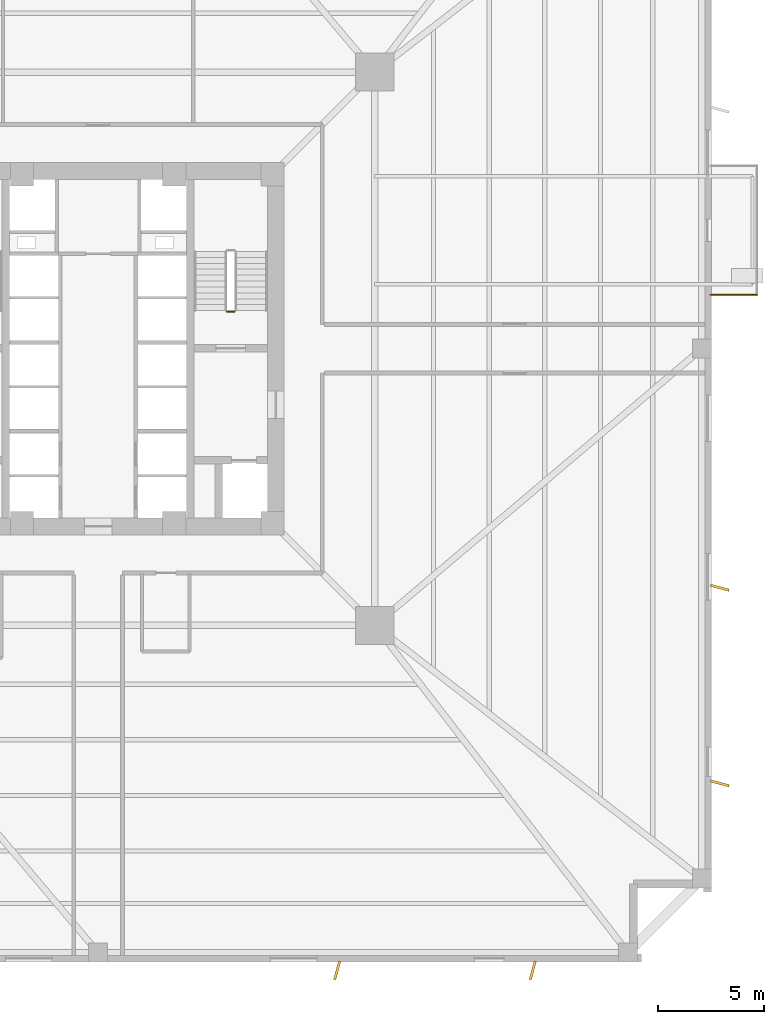
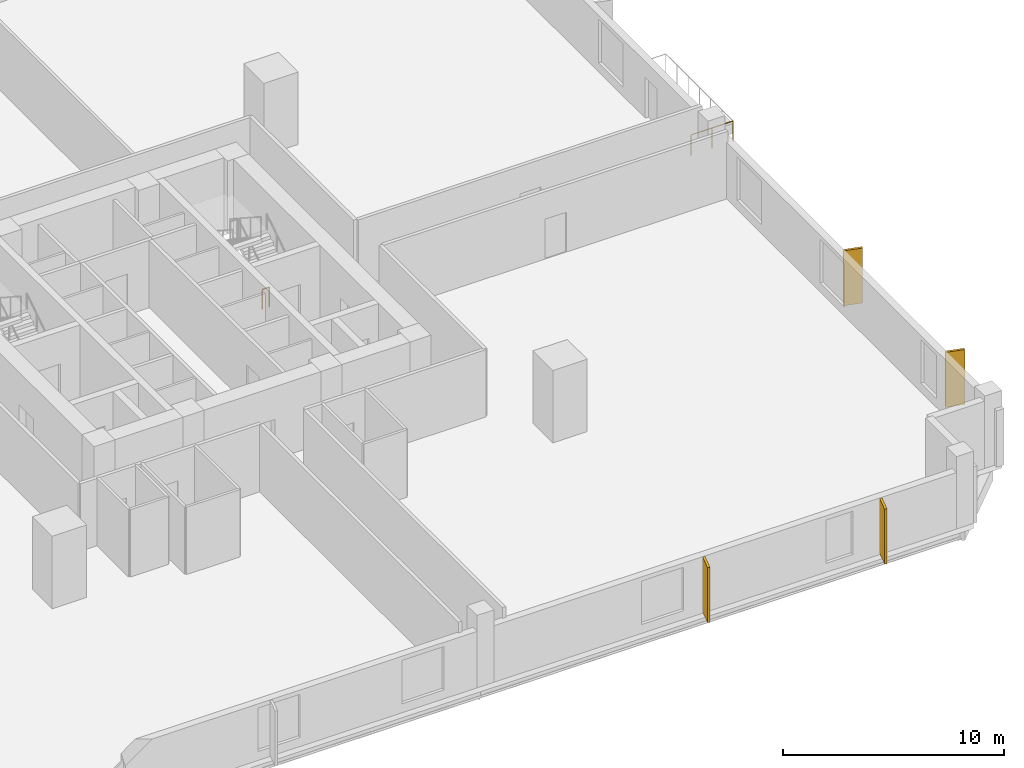
# One storey, part 6 of 8: 4 coverings, 2 railings.
"""IFC4 building model written with IfcOpenShell, lengths in metres."""

from ifc_helpers import new_model, si_unit, direction, frame, origin, origin_2d, place, context, subcontext, project, spatial, rectangle, circle, extrude, source, transform, mapped, material, layer, layer_set, type_object, element, save


model = new_model("IFC4")

# Units and contexts
model_context = context("Model", 3, precision=1e-05, world=origin(), true_north=direction((0.0, 1.0)))
body_context = subcontext(model_context, "Body", "Model", "MODEL_VIEW")
ifc_project = project(units=[si_unit("LENGTHUNIT", "METRE"), si_unit("AREAUNIT", "SQUARE_METRE"), si_unit("VOLUMEUNIT", "CUBIC_METRE"), si_unit("PLANEANGLEUNIT", "RADIAN"), si_unit("MASSUNIT", "GRAM", prefix="KILO"), si_unit("THERMODYNAMICTEMPERATUREUNIT", "KELVIN")], contexts=[model_context])

# Site, building, storey
site_placement = place(None, origin())
site = spatial("IfcSite", under=ifc_project, at=site_placement, CompositionType="ELEMENT")
building_placement = place(site_placement, origin())
building = spatial("IfcBuilding", under=site, at=building_placement, Name="Kosmvard Interchange Tower", CompositionType="ELEMENT")
storey_placement = place(building_placement, frame((0.0, 0.0, 34.0)))
storey = spatial("IfcBuildingStorey", under=building, at=storey_placement, Name="L07", CompositionType="ELEMENT", Elevation=34.0)

# Coverings
ifc_material_1 = material(Name="Architectural anodised aluminium", Category="aluminium")
ifc_layer = layer(ifc_material_1, 0.1201171875, Name="Architectural anodised aluminium")
ifc_layer_set = layer_set([ifc_layer], Name="Architectural anodised aluminium")
covering_type = type_object("IfcCoveringType", Name="Rotating Vertical Sun-Breaker Fin 900x120 Aluminium", PredefinedType="CLADDING", material=ifc_layer_set)
shared_shape_1 = source(origin(), body_context, "Body", "SweptSolid", [
    extrude(rectangle(XDim=0.89990234375, YDim=0.1201171875, at=origin_2d()), origin(), (0.0, 0.0, 1.0), 3.0400390625),
])
for number, where, z_axis, x_axis, name in (
    (1, (11.3037109375, -29.39990234375, 0.0400390625), (0.0, 0.0, 1.0), (-0.260504508643, -0.965472630879, 0.0), "L07 Rotating Vertical Sun-Breaker Fin 03"),
    (2, (20.552001953125, -29.39990234375, 0.0400390625), (0.0, 0.0, 1.0), (-0.260504508643, -0.965472630879, 0.0), "L07 Rotating Vertical Sun-Breaker Fin 04"),
    (3, (29.39990234375, -20.552001953125, 0.0400390625), (0.0, 0.0, 1.0), (0.965472630879, -0.260504508643, 0.0), "L07 Rotating Vertical Sun-Breaker Fin 05"),
    (4, (29.39990234375, -11.3037109375, 0.0400390625), (0.0, 0.0, 1.0), (0.965472630879, -0.260504508643, 0.0), "L07 Rotating Vertical Sun-Breaker Fin 06"),
):
    element("IfcCovering", number, at=place(storey_placement, frame(where, z_axis=z_axis, x_axis=x_axis)), inside=storey, type_object=covering_type, Name=name, PredefinedType="CLADDING", context=body_context, shape_type="MappedRepresentation", body=[
        mapped(shared_shape_1, transform((0.0, 0.0, 0.0), scale=1.0)),
    ])

# Railings
ifc_material_2 = material(Name="Steel S355", Category="steel")
railing_type_1 = type_object("IfcRailingType", Name="Observation & Balcony Glass-Infill Balustrade 1150", PredefinedType="BALUSTRADE", material=ifc_material_2)
shared_shape_2 = source(origin(), body_context, "Body", "SweptSolid", [
    extrude(circle(Radius=0.02392578125, at=origin_2d()), frame((0.0, 0.0, 1.1259765625), z_axis=(1.0, 0.0, 0.0), x_axis=(0.0, 1.0, 0.0)), (0.0, 0.0, 1.0), 2.199951171875),
    extrude(circle(Radius=0.02099609375, at=origin_2d()), origin(), (0.0, 0.0, 1.0), 1.101806640625),
    extrude(circle(Radius=0.02099609375, at=origin_2d()), frame((1.10009765625, 0.0, 0.0)), (0.0, 0.0, 1.0), 1.101806640625),
    extrude(circle(Radius=0.02099609375, at=origin_2d()), frame((2.199951171875, 0.0, 0.0)), (0.0, 0.0, 1.0), 1.101806640625),
])
railing_1_placement = place(storey_placement, frame((28.949951171875, 2.550048828125, 0.0)))
element("IfcRailing", 5, at=railing_1_placement, inside=storey, type_object=railing_type_1, Name="L07 Outdoor Terrace Guard BAL-L07-E-A", PredefinedType="BALUSTRADE", context=body_context, shape_type="MappedRepresentation", body=[
    mapped(shared_shape_2, transform((0.0, 0.0, 0.0), scale=1.0)),
])
railing_type_2 = type_object("IfcRailingType", Name="Stair & Terrace Safety Guardrail 1100 Steel", PredefinedType="GUARDRAIL", material=ifc_material_2)
shared_shape_3 = source(origin(), body_context, "Body", "SweptSolid", [
    extrude(circle(Radius=0.02392578125, at=origin_2d()), frame((0.0, 0.0, 1.076171875), z_axis=(-1.0, 0.0, 0.0), x_axis=(0.0, -1.0, 0.0)), (0.0, 0.0, 1.0), 0.35986328125),
    extrude(circle(Radius=0.02099609375, at=origin_2d()), origin(), (0.0, 0.0, 1.0), 1.052001953125),
    extrude(circle(Radius=0.02099609375, at=origin_2d()), frame((-0.35986328125, 0.0, 0.0)), (0.0, 0.0, 1.0), 1.052001953125),
])
railing_2_placement = place(storey_placement, frame((6.449951171875, 1.75, 0.0)))
element("IfcRailing", 6, at=railing_2_placement, inside=storey, type_object=railing_type_2, Name="L07 ST-2 stair guard 4", PredefinedType="GUARDRAIL", context=body_context, shape_type="MappedRepresentation", body=[
    mapped(shared_shape_3, transform((0.0, 0.0, 0.0), scale=1.0)),
])

save(model, "model.ifc")
